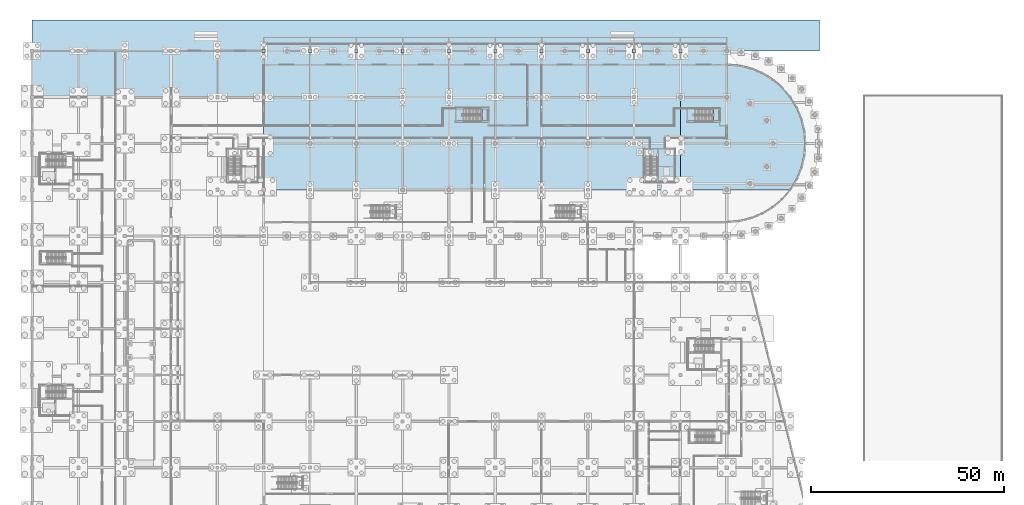
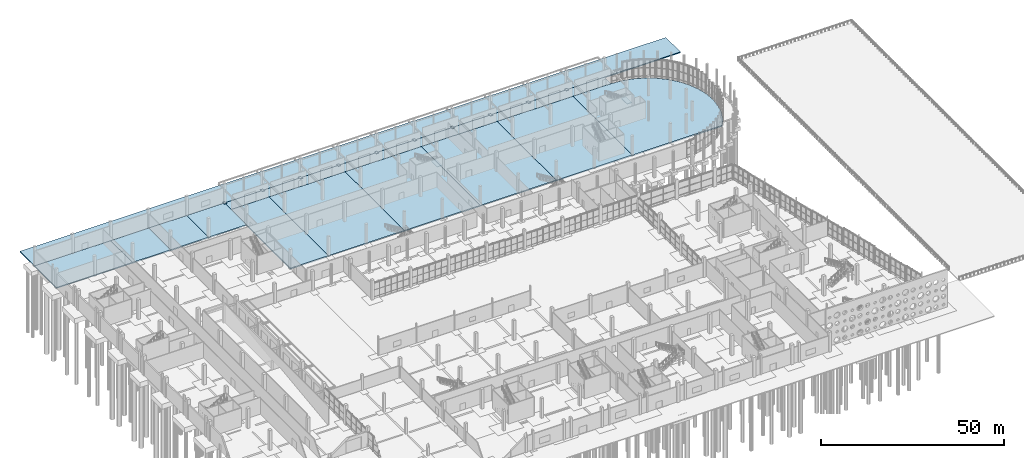
# One storey, part 72 of 117: 14 slabs, 10 plates, 2 elements without a shape of their own.
"""IFC4 building model written with IfcOpenShell, lengths in metres."""

from ifc_helpers import new_model, si_unit, direction, frame, origin, origin_2d, place, context, subcontext, project, spatial, polyline, rectangle, outline, extrude, material, layer, layer_set, type_object, element, aggregate, save


model = new_model("IFC4")

# Units and contexts
model_context = context("Model", 3, precision=1e-05, world=origin(), true_north=direction((0.0, 1.0)))
body_context = subcontext(model_context, "Body", "Model", "MODEL_VIEW")
ifc_project = project(units=[si_unit("LENGTHUNIT", "METRE"), si_unit("AREAUNIT", "SQUARE_METRE"), si_unit("VOLUMEUNIT", "CUBIC_METRE"), si_unit("PLANEANGLEUNIT", "RADIAN"), si_unit("MASSUNIT", "GRAM", prefix="KILO")], contexts=[model_context])

# Site, building, storey
site_placement = place(None, origin())
site = spatial("IfcSite", under=ifc_project, at=site_placement, CompositionType="ELEMENT")
building_placement = place(site_placement, origin())
building = spatial("IfcBuilding", under=site, at=building_placement, Name="Kamomehara Wholesale Market", CompositionType="ELEMENT")
storey_placement = place(building_placement, origin())
storey = spatial("IfcBuildingStorey", under=building, at=storey_placement, Name="L00", CompositionType="ELEMENT", Elevation=0.0)

# Plates
ifc_material_1 = material(Name="Steel SN490B", Category="steel")
ifc_layer_1 = layer(ifc_material_1, 0.031982421875)
ifc_layer_set_1 = layer_set([ifc_layer_1], Name="Steel SN490B")
plate_type = type_object("IfcPlateType", Name="PLT-BAS-32", PredefinedType="USERDEFINED", material=ifc_layer_set_1)
for number, where, z_axis, x_axis, name in (
    (1, (60.0, 156.0, 0.0), (0.0, 0.0, 1.0), (1.0, 0.0, 0.0), "Column base plate V1 60"),
    (2, (72.0, 156.0, 0.0), (0.0, 0.0, 1.0), (1.0, 0.0, 0.0), "Column base plate V1 72"),
    (3, (84.0, 156.0, 0.0), (0.0, 0.0, 1.0), (1.0, 0.0, 0.0), "Column base plate V1 84"),
    (4, (96.0, 156.0, 0.0), (0.0, 0.0, 1.0), (1.0, 0.0, 0.0), "Column base plate V1 96"),
    (5, (108.0, 156.0, 0.0), (0.0, 0.0, 1.0), (1.0, 0.0, 0.0), "Column base plate V1 108"),
    (6, (120.0, 156.0, 0.0), (0.0, 0.0, 1.0), (1.0, 0.0, 0.0), "Column base plate V1 120"),
    (7, (132.0, 156.0, 0.0), (0.0, 0.0, 1.0), (1.0, 0.0, 0.0), "Column base plate V1 132"),
    (8, (144.0, 156.0, 0.0), (0.0, 0.0, 1.0), (1.0, 0.0, 0.0), "Column base plate V1 144"),
    (9, (156.0, 156.0, 0.0), (0.0, 0.0, 1.0), (1.0, 0.0, 0.0), "Column base plate V1 156"),
    (10, (168.0, 156.0, 0.0), (0.0, 0.0, 1.0), (1.0, 0.0, 0.0), "Column base plate V1 168"),
):
    element("IfcPlate", number, at=place(storey_placement, frame(where, z_axis=z_axis, x_axis=x_axis)), inside=storey, type_object=plate_type, Name=name, ObjectType="BASE PLATE", PredefinedType="USERDEFINED", context=body_context, shape_type="SweptSolid", body=[
        extrude(rectangle(XDim=0.75, YDim=0.97998046875, at=origin_2d()), origin(), (0.0, 0.0, 1.0), 0.031982421875),
    ])

# Slabs
ifc_material_2 = material(Name="Concrete Fc30 (C30/37)", Category="concrete")
ifc_layer_2 = layer(ifc_material_2, 0.31201171875)
ifc_layer_set_2 = layer_set([ifc_layer_2], Name="Concrete Fc30 (C30/37)")
slab_type_1 = type_object("IfcSlabType", Name="SLB-BASE-300", PredefinedType="BASESLAB", material=ifc_layer_set_2)
slab_1_placement = place(storey_placement, frame((0.0, 0.0, -0.31201171875)))
element("IfcSlab", 11, at=slab_1_placement, inside=storey, type_object=slab_type_1, Name="Floor slab V1 L00 10", PredefinedType="BASESLAB", context=body_context, shape_type="SweptSolid", body=[
    extrude(outline(polyline([(96.0, 120.0), (72.0, 120.0), (72.0, 152.39990234375), (96.0, 152.39990234375), (96.0, 120.0)])), origin(), (0.0, 0.0, 1.0), 0.31201171875),
])
ifc_material_3 = material(Name="Concrete Fc30 (C30/37)", Category="concrete")
ifc_layer_3 = layer(ifc_material_3, 0.324951171875)
ifc_layer_set_3 = layer_set([ifc_layer_3], Name="Concrete Fc30 (C30/37)")
slab_type_2 = type_object("IfcSlabType", Name="SLB-BASE-325", PredefinedType="BASESLAB", material=ifc_layer_set_3)
slab_2_placement = place(storey_placement, frame((0.0, 0.0, -0.324951171875)))
element("IfcSlab", 12, at=slab_2_placement, inside=storey, type_object=slab_type_2, Name="Floor slab V1 L00 14", PredefinedType="BASESLAB", context=body_context, shape_type="SweptSolid", body=[
    extrude(outline(polyline([(144.0, 120.0), (120.0, 120.0), (120.0, 152.39990234375), (144.0, 152.39990234375), (144.0, 120.0)])), origin(), (0.0, 0.0, 1.0), 0.324951171875),
])
slab_3_placement = place(storey_placement, frame((0.0, 0.0, -0.324951171875)))
element("IfcSlab", 13, at=slab_3_placement, inside=storey, type_object=slab_type_2, Name="Floor slab V3 L00 29", PredefinedType="BASESLAB", context=body_context, shape_type="SweptSolid", body=[
    extrude(outline(polyline([(24.0, 144.0), (0.0, 144.0), (0.0, 156.0), (24.0, 156.0), (24.0, 144.0)])), origin(), (0.0, 0.0, 1.0), 0.324951171875),
])
ifc_material_4 = material(Name="Concrete Fc30 (C30/37)", Category="concrete")
ifc_layer_4 = layer(ifc_material_4, 0.35009765625)
ifc_layer_set_4 = layer_set([ifc_layer_4], Name="Concrete Fc30 (C30/37)")
slab_type_3 = type_object("IfcSlabType", Name="SLB-BASE-350", PredefinedType="BASESLAB", material=ifc_layer_set_4)
slab_4_placement = place(storey_placement, frame((0.0, 0.0, -0.35009765625)))
element("IfcSlab", 14, at=slab_4_placement, inside=storey, type_object=slab_type_3, Name="Floor slab V1 L00 6", PredefinedType="BASESLAB", context=body_context, shape_type="SweptSolid", body=[
    extrude(outline(polyline([(60.0, 144.0), (48.0, 144.0), (48.0, 156.0), (60.0, 156.0), (60.0, 144.0)])), origin(), (0.0, 0.0, 1.0), 0.35009765625),
])
slab_5_placement = place(storey_placement, frame((0.0, 0.0, -0.35009765625)))
element("IfcSlab", 15, at=slab_5_placement, inside=storey, type_object=slab_type_3, Name="Floor slab V1 L00 16", PredefinedType="BASESLAB", context=body_context, shape_type="SweptSolid", body=[
    extrude(outline(polyline([(168.0, 120.0), (144.0, 120.0), (144.0, 152.39990234375), (168.0, 152.39990234375), (168.0, 120.0)])), origin(), (0.0, 0.0, 1.0), 0.35009765625),
])
ifc_material_5 = material(Name="Concrete Fc30 (C30/37)", Category="concrete")
ifc_layer_5 = layer(ifc_material_5, 0.3798828125)
ifc_layer_set_5 = layer_set([ifc_layer_5], Name="Concrete Fc30 (C30/37)")
slab_type_4 = type_object("IfcSlabType", Name="SLB-BASE-380", PredefinedType="BASESLAB", material=ifc_layer_set_5)
slab_6_placement = place(storey_placement, frame((0.0, 0.0, -0.3798828125)))
element("IfcSlab", 16, at=slab_6_placement, inside=storey, type_object=slab_type_4, Name="Floor slab V1 L00 12", PredefinedType="BASESLAB", context=body_context, shape_type="SweptSolid", body=[
    extrude(outline(polyline([(120.0, 120.0), (96.0, 120.0), (96.0, 152.39990234375), (120.0, 152.39990234375), (120.0, 120.0)])), origin(), (0.0, 0.0, 1.0), 0.3798828125),
])
slab_7_placement = place(storey_placement, frame((0.0, 0.0, -0.3798828125)))
element("IfcSlab", 17, at=slab_7_placement, inside=storey, type_object=slab_type_4, Name="Floor slab V3 L00 32", PredefinedType="BASESLAB", context=body_context, shape_type="SweptSolid", body=[
    extrude(outline(polyline([(36.0, 144.0), (24.0, 144.0), (24.0, 156.0), (36.0, 156.0), (36.0, 144.0)])), origin(), (0.0, 0.0, 1.0), 0.3798828125),
])
ifc_material_6 = material(Name="Concrete Fc30 (C30/37)", Category="concrete")
ifc_layer_6 = layer(ifc_material_6, 0.39990234375)
ifc_layer_set_6 = layer_set([ifc_layer_6], Name="Concrete Fc30 (C30/37)")
slab_type_5 = type_object("IfcSlabType", Name="SLB-BASE-400", PredefinedType="BASESLAB", material=ifc_layer_set_6)
slab_8_placement = place(storey_placement, frame((0.0, 0.0, -0.39990234375)))
element("IfcSlab", 18, at=slab_8_placement, inside=storey, type_object=slab_type_5, Name="Floor slab V1 L00 3", PredefinedType="BASESLAB", context=body_context, shape_type="SweptSolid", body=[
    extrude(outline(polyline([(48.0, 144.0), (36.0, 144.0), (36.0, 156.0), (48.0, 156.0), (48.0, 144.0)])), origin(), (0.0, 0.0, 1.0), 0.39990234375),
])
slab_9_placement = place(storey_placement, frame((0.0, 0.0, -0.39990234375)))
element("IfcSlab", 19, at=slab_9_placement, inside=storey, type_object=slab_type_5, Name="Floor slab V1 L00 8", PredefinedType="BASESLAB", context=body_context, shape_type="SweptSolid", body=[
    extrude(outline(polyline([(72.0, 120.0), (60.0, 120.0), (60.0, 152.39990234375), (72.0, 152.39990234375), (72.0, 120.0)])), origin(), (0.0, 0.0, 1.0), 0.39990234375),
])
slab_10_placement = place(storey_placement, frame((0.0, 0.0, -0.39990234375)))
element("IfcSlab", 20, at=slab_10_placement, inside=storey, type_object=slab_type_5, Name="Floor slab V1 L00 18", PredefinedType="BASESLAB", context=body_context, shape_type="SweptSolid", body=[
    extrude(outline(polyline([(180.0, 152.39990234375), (183.19091796875, 152.14892578125), (186.303955078125, 151.402099609375), (189.260986328125, 150.177001953125), (191.990966796875, 148.50390625), (194.425048828125, 146.425048828125), (196.50390625, 143.990966796875), (198.177001953125, 141.260986328125), (199.402099609375, 138.303955078125), (200.14892578125, 135.19091796875), (200.39990234375, 132.0), (200.14892578125, 128.80908203125), (199.402099609375, 125.696044921875), (198.177001953125, 122.739013671875), (196.50390625, 120.009033203125), (196.49609375, 120.0), (168.0, 120.0), (168.0, 152.39990234375), (180.0, 152.39990234375)])), origin(), (0.0, 0.0, 1.0), 0.39990234375),
])
ifc_material_7 = material(Name="Concrete Fc30 (C30/37)", Category="concrete")
ifc_layer_7 = layer(ifc_material_7, 0.324951171875)
ifc_layer_set_7 = layer_set([ifc_layer_7], Name="Concrete Fc30 (C30/37)")
slab_type_6 = type_object("IfcSlabType", Name="SLB-EXT-220", PredefinedType="FLOOR", material=ifc_layer_set_7)
slab_11_placement = place(storey_placement, frame((0.0, 0.0, -0.324951171875)))
element("IfcSlab", 21, at=slab_11_placement, inside=storey, type_object=slab_type_6, Name="External slab OSLB-L00-ARC-N", PredefinedType="FLOOR", context=body_context, shape_type="SweptSolid", body=[
    extrude(outline(polyline([(60.0, 152.39990234375), (180.0, 152.39990234375), (180.0, 156.0), (60.0, 156.0), (60.0, 152.39990234375)])), origin(), (0.0, 0.0, 1.0), 0.324951171875),
])
ifc_material_8 = material(Name="Concrete Fc30 (C30/37)", Category="concrete")
ifc_layer_8 = layer(ifc_material_8, 0.344970703125)
ifc_layer_set_8 = layer_set([ifc_layer_8], Name="Concrete Fc30 (C30/37)")
slab_type_7 = type_object("IfcSlabType", Name="SLB-EXT-250", PredefinedType="FLOOR", material=ifc_layer_set_8)
slab_12_placement = place(storey_placement, frame((0.0, 0.0, -0.344970703125)))
element("IfcSlab", 22, at=slab_12_placement, inside=storey, type_object=slab_type_7, Name="External slab OSLB-L00-APRON-N", PredefinedType="FLOOR", context=body_context, shape_type="SweptSolid", body=[
    extrude(outline(polyline([(0.0, 156.0), (204.0, 156.0), (204.0, 164.0), (0.0, 164.0), (0.0, 156.0)])), origin(), (0.0, 0.0, 1.0), 0.344970703125),
])

# Stair, slab
ifc_material_9 = material(Name="Concrete Fc36 (C35/45)", Category="concrete")
stair_type_1 = type_object("IfcStairType", Name="STR-DL-04", PredefinedType="HALF_TURN_STAIR", material=ifc_material_9)
stair_1_placement = place(storey_placement, origin())
stair_1 = element("IfcStair", 23, at=stair_1_placement, inside=storey, type_object=stair_type_1, Name="L00 Exit stair ST-13", PredefinedType="HALF_TURN_STAIR")
ifc_material_10 = material(Name="Concrete Fc36 (C35/45)", Category="concrete")
ifc_layer_9 = layer(ifc_material_10, 0.199951171875)
ifc_layer_set_9 = layer_set([ifc_layer_9], Name="Concrete Fc36 (C35/45)")
slab_type_8 = type_object("IfcSlabType", Name="SLB-LND-200", PredefinedType="LANDING", material=ifc_layer_set_9)
slab_13_placement = place(storey_placement, frame((0.0, 0.0, 3.10009765625)))
slab_13 = element("IfcSlab", 24, at=slab_13_placement, type_object=slab_type_8, Name="ST-13 landing 1", PredefinedType="LANDING", context=body_context, shape_type="SweptSolid", body=[
    extrude(outline(polyline([(116.6298828125, 137.75), (118.159912109375, 137.75), (118.159912109375, 141.010009765625), (116.6298828125, 141.010009765625), (116.6298828125, 137.75)])), origin(), (0.0, 0.0, 1.0), 0.199951171875),
])
aggregate(stair_1, [slab_13])

ifc_material_11 = material(Name="Concrete Fc36 (C35/45)", Category="concrete")
stair_type_2 = type_object("IfcStairType", Name="STR-DL-03", PredefinedType="HALF_TURN_STAIR", material=ifc_material_11)
stair_2_placement = place(storey_placement, origin())
stair_2 = element("IfcStair", 25, at=stair_2_placement, inside=storey, type_object=stair_type_2, Name="L00 Exit stair ST-14", PredefinedType="HALF_TURN_STAIR")
slab_14_placement = place(storey_placement, frame((0.0, 0.0, 3.10009765625)))
slab_14 = element("IfcSlab", 26, at=slab_14_placement, type_object=slab_type_8, Name="ST-14 landing 1", PredefinedType="LANDING", context=body_context, shape_type="SweptSolid", body=[
    extrude(outline(polyline([(176.5849609375, 137.75), (178.070068359375, 137.75), (178.070068359375, 140.919921875), (176.5849609375, 140.919921875), (176.5849609375, 137.75)])), origin(), (0.0, 0.0, 1.0), 0.199951171875),
])
aggregate(stair_2, [slab_14])

save(model, "model.ifc")
